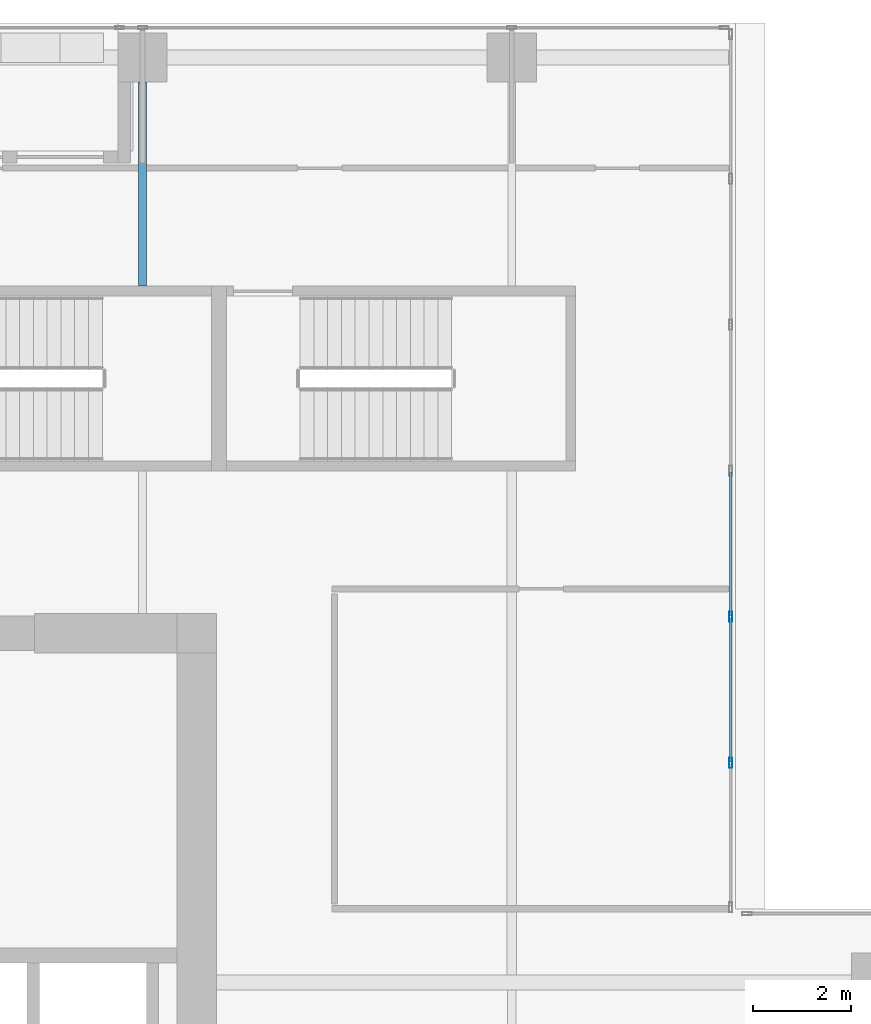
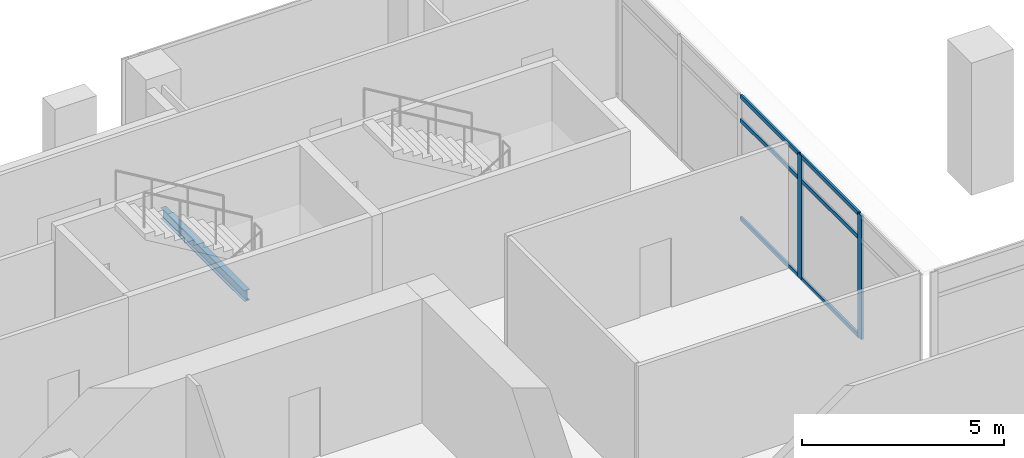
# One storey, part 20 of 37: 8 members, 1 beam, 1 element without a shape of its own.
"""IFC4 building model written with IfcOpenShell, lengths in metres."""

from ifc_helpers import new_model, si_unit, direction, frame, origin, origin_2d, place, context, subcontext, project, spatial, hollow_rectangle, i_section, extrude, source, transform, mapped, material, material_profile, profile_set, type_object, element, aggregate, save


model = new_model("IFC4")

# Units and contexts
model_context = context("Model", 3, precision=1e-05, world=origin(), true_north=direction((0.0, 1.0)))
body_context = subcontext(model_context, "Body", "Model", "MODEL_VIEW")
ifc_project = project(units=[si_unit("LENGTHUNIT", "METRE"), si_unit("AREAUNIT", "SQUARE_METRE"), si_unit("VOLUMEUNIT", "CUBIC_METRE"), si_unit("PLANEANGLEUNIT", "RADIAN"), si_unit("MASSUNIT", "GRAM", prefix="KILO")], contexts=[model_context])

# Site, building, storey
site_placement = place(None, origin())
site = spatial("IfcSite", under=ifc_project, at=site_placement, CompositionType="ELEMENT")
building_placement = place(site_placement, origin())
building = spatial("IfcBuilding", under=site, at=building_placement, Name="Khomas Fold Tower", CompositionType="ELEMENT")
storey_placement = place(building_placement, frame((0.0, 0.0, 168.699951171875)))
storey = spatial("IfcBuildingStorey", under=building, at=storey_placement, Name="L36", CompositionType="ELEMENT", Elevation=168.699951171875)

# Beam
ifc_material_1 = material(Name="Steel S355", Category="steel")
ifc_material_profile_1 = material_profile(ifc_material_1, i_section(OverallWidth=0.159912109375, OverallDepth=0.330078125, WebThickness=0.007568359375, FlangeThickness=0.011474609375, at=origin_2d()), Name="IPE 330")
ifc_profile_set_1 = profile_set([ifc_material_profile_1], Name="Steel S355")
beam_type = type_object("IfcBeamType", Name="IPE 330 beam JB1", PredefinedType="BEAM", material=ifc_profile_set_1)
shared_shape_1 = source(origin(), body_context, "Body", "SweptSolid", [
    extrude(i_section(OverallWidth=0.159912109375, OverallDepth=0.330078125, WebThickness=0.007568359375, FlangeThickness=0.011474609375, at=origin_2d()), origin(), (0.0, 0.0, 1.0), 4.150146484375),
])
beam_placement = place(storey_placement, frame((19.5, 45.64990234375, -0.4150390625), z_axis=(0.0, 1.0, 0.0), x_axis=(-1.0, 0.0, 0.0)))
element("IfcBeam", 1, at=beam_placement, inside=storey, type_object=beam_type, Name="JB1", PredefinedType="BEAM", context=body_context, shape_type="MappedRepresentation", body=[
    mapped(shared_shape_1, transform((0.0, 0.0, 0.0))),
])

# Curtain wall, members
ifc_material_2 = material(Name="Aluminium framed double glazing", Category="aluminium")
curtain_wall_type = type_object("IfcCurtainWallType", Name="Notch glazing GN-CW", PredefinedType="NOTDEFINED", material=ifc_material_2)
curtain_wall_placement = place(storey_placement, origin())
curtain_wall = element("IfcCurtainWall", 2, at=curtain_wall_placement, inside=storey, type_object=curtain_wall_type, Name="Notch glazing run", PredefinedType="NOTDEFINED")
ifc_material_3 = material(Name="Aluminium", Category="aluminium")
ifc_material_profile_2 = material_profile(ifc_material_3, hollow_rectangle(XDim=0.06005859375, YDim=0.1201171875, WallThickness=0.00390625, at=origin_2d()), Name="Notch glazing transom GN-CW-T")
ifc_profile_set_2 = profile_set([ifc_material_profile_2], Name="Aluminium")
member_type_1 = type_object("IfcMemberType", Name="Notch glazing transom GN-CW-T", PredefinedType="USERDEFINED", material=ifc_profile_set_2)
shared_shape_2 = source(origin(), body_context, "Body", "SweptSolid", [
    extrude(hollow_rectangle(XDim=0.06005859375, YDim=0.1201171875, WallThickness=0.00390625, at=origin_2d()), origin(), (0.0, 0.0, 1.0), 2.90673828125),
])
member_1_placement = place(storey_placement, frame((31.449951171875, 35.99658203125, 0.030029296875), z_axis=(0.0, 1.0, 0.0), x_axis=(-1.0, 0.0, 0.0)))
member_1 = element("IfcMember", 3, at=member_1_placement, type_object=member_type_1, Name="GN-CW transom 2.1", ObjectType="TRANSOM", PredefinedType="USERDEFINED", context=body_context, shape_type="MappedRepresentation", body=[
    mapped(shared_shape_2, transform((0.0, 0.0, 0.0))),
])
member_2_placement = place(storey_placement, frame((31.449951171875, 35.99658203125, 3.0), z_axis=(0.0, 1.0, 0.0), x_axis=(-1.0, 0.0, 0.0)))
member_2 = element("IfcMember", 4, at=member_2_placement, type_object=member_type_1, Name="GN-CW transom 2.2", ObjectType="TRANSOM", PredefinedType="USERDEFINED", context=body_context, shape_type="MappedRepresentation", body=[
    mapped(shared_shape_2, transform((0.0, 0.0, 0.0))),
])
member_3_placement = place(storey_placement, frame((31.449951171875, 35.99658203125, 3.719970703125), z_axis=(0.0, 1.0, 0.0), x_axis=(-1.0, 0.0, 0.0)))
member_3 = element("IfcMember", 5, at=member_3_placement, type_object=member_type_1, Name="GN-CW transom 2.3", ObjectType="TRANSOM", PredefinedType="USERDEFINED", context=body_context, shape_type="MappedRepresentation", body=[
    mapped(shared_shape_2, transform((0.0, 0.0, 0.0))),
])
member_4_placement = place(storey_placement, frame((31.449951171875, 38.96337890625, 0.030029296875), z_axis=(0.0, 1.0, 0.0), x_axis=(-1.0, 0.0, 0.0)))
member_4 = element("IfcMember", 6, at=member_4_placement, type_object=member_type_1, Name="GN-CW transom 3.1", ObjectType="TRANSOM", PredefinedType="USERDEFINED", context=body_context, shape_type="MappedRepresentation", body=[
    mapped(shared_shape_2, transform((0.0, 0.0, 0.0))),
])
member_5_placement = place(storey_placement, frame((31.449951171875, 38.96337890625, 3.0), z_axis=(0.0, 1.0, 0.0), x_axis=(-1.0, 0.0, 0.0)))
member_5 = element("IfcMember", 7, at=member_5_placement, type_object=member_type_1, Name="GN-CW transom 3.2", ObjectType="TRANSOM", PredefinedType="USERDEFINED", context=body_context, shape_type="MappedRepresentation", body=[
    mapped(shared_shape_2, transform((0.0, 0.0, 0.0))),
])
member_6_placement = place(storey_placement, frame((31.449951171875, 38.96337890625, 3.719970703125), z_axis=(0.0, 1.0, 0.0), x_axis=(-1.0, 0.0, 0.0)))
member_6 = element("IfcMember", 8, at=member_6_placement, type_object=member_type_1, Name="GN-CW transom 3.3", ObjectType="TRANSOM", PredefinedType="USERDEFINED", context=body_context, shape_type="MappedRepresentation", body=[
    mapped(shared_shape_2, transform((0.0, 0.0, 0.0))),
])
ifc_material_4 = material(Name="Aluminium", Category="aluminium")
ifc_material_profile_3 = material_profile(ifc_material_4, hollow_rectangle(XDim=0.06005859375, YDim=0.199951171875, WallThickness=0.00390625, at=origin_2d()), Name="Notch glazing mullion GN-CW-M")
ifc_profile_set_3 = profile_set([ifc_material_profile_3], Name="Aluminium")
member_type_2 = type_object("IfcMemberType", Name="Notch glazing mullion GN-CW-M", PredefinedType="MULLION", material=ifc_profile_set_3)
shared_shape_3 = source(origin(), body_context, "Body", "SweptSolid", [
    extrude(hollow_rectangle(XDim=0.06005859375, YDim=0.199951171875, WallThickness=0.00390625, at=origin_2d()), origin(), (0.0, 0.0, 1.0), 3.75),
])
member_7_placement = place(storey_placement, frame((31.449951171875, 35.966552734375, 0.0), z_axis=(0.0, 0.0, 1.0), x_axis=(-1.0, 0.0, 0.0)))
member_7 = element("IfcMember", 9, at=member_7_placement, type_object=member_type_2, Name="GN-CW mullion 2", PredefinedType="MULLION", context=body_context, shape_type="MappedRepresentation", body=[
    mapped(shared_shape_3, transform((0.0, 0.0, 0.0))),
])
member_8_placement = place(storey_placement, frame((31.449951171875, 38.933349609375, 0.0), z_axis=(0.0, 0.0, 1.0), x_axis=(-1.0, 0.0, 0.0)))
member_8 = element("IfcMember", 10, at=member_8_placement, type_object=member_type_2, Name="GN-CW mullion 3", PredefinedType="MULLION", context=body_context, shape_type="MappedRepresentation", body=[
    mapped(shared_shape_3, transform((0.0, 0.0, 0.0))),
])
aggregate(curtain_wall, [member_7, member_8, member_1, member_2, member_3, member_4, member_5, member_6])

save(model, "model.ifc")
